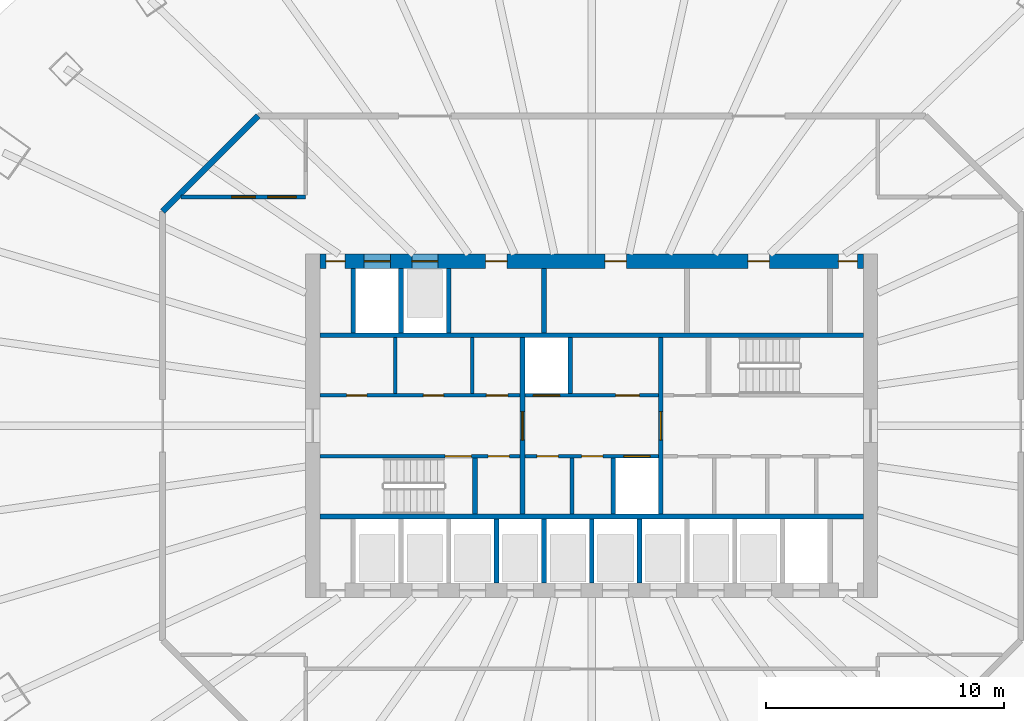
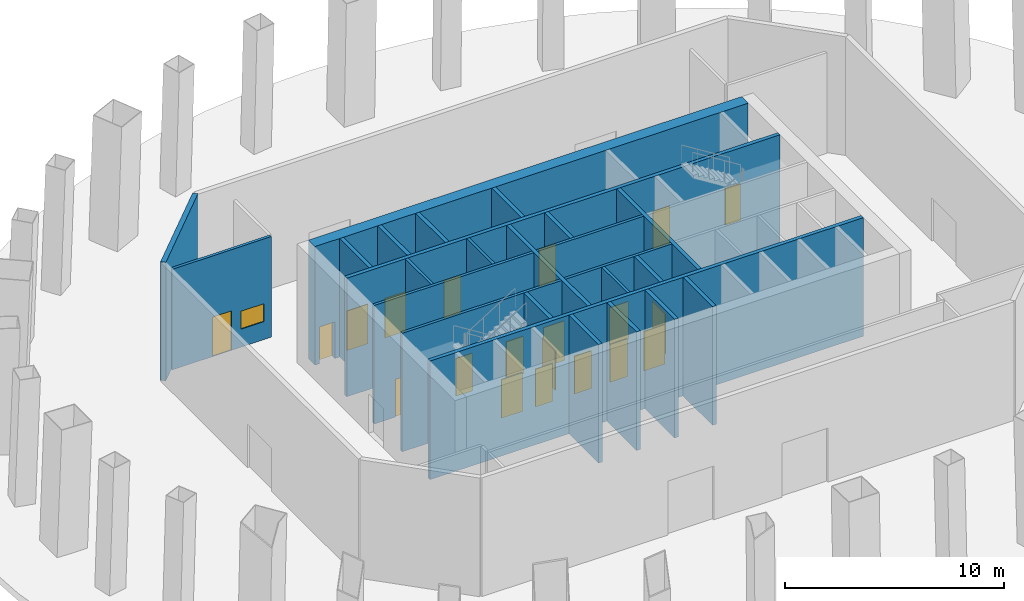
# One storey, part 7 of 10: 25 walls, 20 doors, 1 window, 21 openings.
"""IFC4 building model written with IfcOpenShell, lengths in metres."""

from ifc_helpers import new_model, si_unit, direction, frame, frame_2d, origin, place, context, subcontext, project, spatial, rectangle, extrude, material, layer, layer_set, type_object, element, fill, save


model = new_model("IFC4")

# Units and contexts
model_context = context("Model", 3, precision=1e-05, world=origin(), true_north=direction((0.0, 1.0)))
body_context = subcontext(model_context, "Body", "Model", "MODEL_VIEW")
ifc_project = project(units=[si_unit("LENGTHUNIT", "METRE"), si_unit("AREAUNIT", "SQUARE_METRE"), si_unit("VOLUMEUNIT", "CUBIC_METRE"), si_unit("PLANEANGLEUNIT", "RADIAN"), si_unit("MASSUNIT", "GRAM", prefix="KILO")], contexts=[model_context])

# Site, building, storey
site_placement = place(None, origin())
site = spatial("IfcSite", under=ifc_project, at=site_placement, CompositionType="ELEMENT")
building_placement = place(site_placement, origin())
building = spatial("IfcBuilding", under=site, at=building_placement, Name="Siaravel Broadcast Tower", CompositionType="ELEMENT")
storey_placement = place(building_placement, origin())
storey = spatial("IfcBuildingStorey", under=building, at=storey_placement, Name="L00", CompositionType="ELEMENT", Elevation=0.0)

# Walls
ifc_material_1 = material(Name="Concrete blockwork", Category="masonry")
ifc_layer_1 = layer(ifc_material_1, 0.14990234375)
ifc_layer_set_1 = layer_set([ifc_layer_1], Name="Concrete blockwork")
wall_type_1 = type_object("IfcWallType", Name="Core partition 150", PredefinedType="PARTITIONING", material=ifc_layer_set_1)
for number, where, z_axis, x_axis, name in (
    (1, (-8.2470703125, 1.35009765625, 0.0), (0.0, 0.0, 1.0), (0.0, 1.0, 0.0), "L00 core partition PNW0"),
    (2, (-5.01904296875, 1.35009765625, 0.0), (0.0, 0.0, 1.0), (0.0, 1.0, 0.0), "L00 core partition PNW1"),
    (3, (-0.827392578125, -3.699951171875, 0.0), (0.0, 0.0, 1.0), (0.0, 1.0, 0.0), "L00 core partition PSM0"),
):
    element("IfcWall", number, at=place(storey_placement, frame(where, z_axis=z_axis, x_axis=x_axis)), inside=storey, type_object=wall_type_1, Name=name, PredefinedType="PARTITIONING", context=body_context, shape_type="SweptSolid", body=[
        extrude(rectangle(XDim=2.349853515625, YDim=0.14990234375, at=frame_2d((1.1748046875, 0.0))), origin(), (0.0, 0.0, 1.0), 6.60009765625),
    ])
ifc_layer_2 = layer(ifc_material_1, 0.199951171875)
ifc_layer_set_2 = layer_set([ifc_layer_2], Name="Concrete blockwork")
wall_type_2 = type_object("IfcWallType", Name="Core partition 200", PredefinedType="PARTITIONING", material=ifc_layer_set_2)
wall_1_placement = place(storey_placement, frame((-2.0, 3.89990234375, 0.0), z_axis=(0.0, 0.0, 1.0), x_axis=(0.0, 1.0, 0.0)))
element("IfcWall", 4, at=wall_1_placement, inside=storey, type_object=wall_type_2, Name="L00 core partition PFN2", PredefinedType="PARTITIONING", context=body_context, shape_type="SweptSolid", body=[
    extrude(rectangle(XDim=2.7001953125, YDim=0.199951171875, at=frame_2d((1.35009765625, 0.0))), origin(), (0.0, 0.0, 1.0), 6.60009765625),
])

# Wall, openings, doors
ifc_material_2 = material(Name="Concrete C60/75", Category="concrete")
ifc_layer_3 = layer(ifc_material_2, 0.60009765625)
ifc_layer_set_3 = layer_set([ifc_layer_3], Name="Concrete C60/75")
wall_type_3 = type_object("IfcWallType", Name="Core wall 600", PredefinedType="SHEAR", material=ifc_layer_set_3)
wall_2_placement = place(storey_placement, frame((-11.39990234375, 6.89990234375, 0.0), z_axis=(0.0, 0.0, 1.0), x_axis=(1.0, 0.0, 0.0)))
wall_2 = element("IfcWall", 5, at=wall_2_placement, inside=storey, type_object=wall_type_3, Name="L00 core wall ON", PredefinedType="SHEAR", context=body_context, shape_type="SweptSolid", body=[
    extrude(rectangle(XDim=22.7998046875, YDim=0.60009765625, at=frame_2d((11.39990234375, 0.0))), origin(), (0.0, 0.0, 1.0), 6.60009765625),
])
opening_1_placement = place(wall_2_placement, frame((1.85009765625, 0.0, 0.0)))
opening_1 = element("IfcOpeningElement", 6, at=opening_1_placement, cuts=wall_2, Name="Opening LD-SV2-L00", PredefinedType="OPENING", context=body_context, shape_type="SweptSolid", body=[
    extrude(rectangle(XDim=1.10009765625, YDim=2.199951171875, at=frame_2d((0.550048828125, 1.10009765625))), frame((0.0, 0.31005859375, 0.0), z_axis=(0.0, -1.0, 0.0), x_axis=(1.0, 0.0, 0.0)), (0.0, 0.0, 1.0), 0.6201171875),
])
opening_2_placement = place(wall_2_placement, frame((3.85009765625, 0.0, 0.0)))
opening_2 = element("IfcOpeningElement", 7, at=opening_2_placement, cuts=wall_2, Name="Opening LD-SH2-L00", PredefinedType="OPENING", context=body_context, shape_type="SweptSolid", body=[
    extrude(rectangle(XDim=1.10009765625, YDim=2.199951171875, at=frame_2d((0.550048828125, 1.10009765625))), frame((0.0, 0.31005859375, 0.0), z_axis=(0.0, -1.0, 0.0), x_axis=(1.0, 0.0, 0.0)), (0.0, 0.0, 1.0), 0.6201171875),
])
opening_3_placement = place(wall_2_placement, frame((6.949951171875, 0.0, 0.0)))
opening_3 = element("IfcOpeningElement", 8, at=opening_3_placement, cuts=wall_2, Name="Opening L00-DFN2", PredefinedType="OPENING", context=body_context, shape_type="SweptSolid", body=[
    extrude(rectangle(XDim=0.89990234375, YDim=2.10009765625, at=frame_2d((0.449951171875, 1.050048828125))), frame((0.0, 0.31005859375, 0.0), z_axis=(0.0, -1.0, 0.0), x_axis=(1.0, 0.0, 0.0)), (0.0, 0.0, 1.0), 0.6201171875),
])
opening_4_placement = place(wall_2_placement, frame((11.949951171875, 0.0, 0.0)))
opening_4 = element("IfcOpeningElement", 9, at=opening_4_placement, cuts=wall_2, Name="Opening L00-DFN4", PredefinedType="OPENING", context=body_context, shape_type="SweptSolid", body=[
    extrude(rectangle(XDim=0.89990234375, YDim=2.10009765625, at=frame_2d((0.449951171875, 1.050048828125))), frame((0.0, 0.31005859375, 0.0), z_axis=(0.0, -1.0, 0.0), x_axis=(1.0, 0.0, 0.0)), (0.0, 0.0, 1.0), 0.6201171875),
])
opening_5_placement = place(wall_2_placement, frame((17.949951171875, 0.0, 0.0)))
opening_5 = element("IfcOpeningElement", 10, at=opening_5_placement, cuts=wall_2, Name="Opening L00-DFN7", PredefinedType="OPENING", context=body_context, shape_type="SweptSolid", body=[
    extrude(rectangle(XDim=0.89990234375, YDim=2.10009765625, at=frame_2d((0.449951171875, 1.050048828125))), frame((0.0, 0.31005859375, 0.0), z_axis=(0.0, -1.0, 0.0), x_axis=(1.0, 0.0, 0.0)), (0.0, 0.0, 1.0), 0.6201171875),
])
opening_6_placement = place(wall_2_placement, frame((0.25, 0.0, 0.0)))
opening_6 = element("IfcOpeningElement", 11, at=opening_6_placement, cuts=wall_2, Name="Opening L00-DRNW", PredefinedType="OPENING", context=body_context, shape_type="SweptSolid", body=[
    extrude(rectangle(XDim=0.800048828125, YDim=2.050048828125, at=frame_2d((0.39990234375, 1.02490234375))), frame((0.0, 0.31005859375, 0.0), z_axis=(0.0, -1.0, 0.0), x_axis=(1.0, 0.0, 0.0)), (0.0, 0.0, 1.0), 0.6201171875),
])
opening_7_placement = place(wall_2_placement, frame((21.75, 0.0, 0.0)))
opening_7 = element("IfcOpeningElement", 12, at=opening_7_placement, cuts=wall_2, Name="Opening L00-DRNE", PredefinedType="OPENING", context=body_context, shape_type="SweptSolid", body=[
    extrude(rectangle(XDim=0.800048828125, YDim=2.050048828125, at=frame_2d((0.39990234375, 1.02490234375))), frame((0.0, 0.31005859375, 0.0), z_axis=(0.0, -1.0, 0.0), x_axis=(1.0, 0.0, 0.0)), (0.0, 0.0, 1.0), 0.6201171875),
])
ifc_material_3 = material(Name="Timber veneer", Category="wood")
door_type_1 = type_object("IfcDoorType", Name="Core room door 900", OperationType="SINGLE_SWING_LEFT", PredefinedType="DOOR", material=ifc_material_3)
door_1_placement = place(opening_3_placement, origin())
door_1 = element("IfcDoor", 13, at=door_1_placement, inside=storey, type_object=door_type_1, Name="L00 door DFN2", OperationType="SINGLE_SWING_LEFT", OverallHeight=2.10009765625, OverallWidth=0.89990234375, PredefinedType="DOOR", context=body_context, shape_type="SweptSolid", body=[
    extrude(rectangle(XDim=0.89990234375, YDim=2.10009765625, at=frame_2d((0.449951171875, 1.050048828125))), frame((0.0, 0.02490234375, 0.0), z_axis=(0.0, -1.0, 0.0), x_axis=(1.0, 0.0, 0.0)), (0.0, 0.0, 1.0), 0.050048828125),
])
fill(opening_3, door_1)
door_2_placement = place(opening_4_placement, origin())
door_2 = element("IfcDoor", 14, at=door_2_placement, inside=storey, type_object=door_type_1, Name="L00 door DFN4", OperationType="SINGLE_SWING_LEFT", OverallHeight=2.10009765625, OverallWidth=0.89990234375, PredefinedType="DOOR", context=body_context, shape_type="SweptSolid", body=[
    extrude(rectangle(XDim=0.89990234375, YDim=2.10009765625, at=frame_2d((0.449951171875, 1.050048828125))), frame((0.0, 0.02490234375, 0.0), z_axis=(0.0, -1.0, 0.0), x_axis=(1.0, 0.0, 0.0)), (0.0, 0.0, 1.0), 0.050048828125),
])
fill(opening_4, door_2)
door_3_placement = place(opening_5_placement, origin())
door_3 = element("IfcDoor", 15, at=door_3_placement, inside=storey, type_object=door_type_1, Name="L00 door DFN7", OperationType="SINGLE_SWING_LEFT", OverallHeight=2.10009765625, OverallWidth=0.89990234375, PredefinedType="DOOR", context=body_context, shape_type="SweptSolid", body=[
    extrude(rectangle(XDim=0.89990234375, YDim=2.10009765625, at=frame_2d((0.449951171875, 1.050048828125))), frame((0.0, 0.02490234375, 0.0), z_axis=(0.0, -1.0, 0.0), x_axis=(1.0, 0.0, 0.0)), (0.0, 0.0, 1.0), 0.050048828125),
])
fill(opening_5, door_3)
ifc_material_4 = material(Name="Stainless steel 316L", Category="steel")
door_type_2 = type_object("IfcDoorType", Name="Lift landing door 1100", OperationType="DOUBLE_DOOR_SLIDING", PredefinedType="DOOR", material=ifc_material_4)
door_4_placement = place(opening_2_placement, origin())
door_4 = element("IfcDoor", 16, at=door_4_placement, inside=storey, type_object=door_type_2, Name="Landing door SH2 L00", OperationType="DOUBLE_DOOR_SLIDING", OverallHeight=2.199951171875, OverallWidth=1.10009765625, PredefinedType="DOOR", context=body_context, shape_type="SweptSolid", body=[
    extrude(rectangle(XDim=1.10009765625, YDim=2.199951171875, at=frame_2d((0.550048828125, 1.10009765625))), frame((0.0, 0.02490234375, 0.0), z_axis=(0.0, -1.0, 0.0), x_axis=(1.0, 0.0, 0.0)), (0.0, 0.0, 1.0), 0.050048828125),
])
fill(opening_2, door_4)
ifc_material_5 = material(Name="Steel", Category="steel")
door_type_3 = type_object("IfcDoorType", Name="Riser door 800", OperationType="SINGLE_SWING_LEFT", PredefinedType="DOOR", material=ifc_material_5)
door_5_placement = place(opening_6_placement, origin())
door_5 = element("IfcDoor", 17, at=door_5_placement, inside=storey, type_object=door_type_3, Name="L00 door DRNW", OperationType="SINGLE_SWING_LEFT", OverallHeight=2.050048828125, OverallWidth=0.800048828125, PredefinedType="DOOR", context=body_context, shape_type="SweptSolid", body=[
    extrude(rectangle(XDim=0.800048828125, YDim=2.050048828125, at=frame_2d((0.39990234375, 1.02490234375))), frame((0.0, 0.02490234375, 0.0), z_axis=(0.0, -1.0, 0.0), x_axis=(1.0, 0.0, 0.0)), (0.0, 0.0, 1.0), 0.050048828125),
])
fill(opening_6, door_5)
door_6_placement = place(opening_7_placement, origin())
door_6 = element("IfcDoor", 18, at=door_6_placement, inside=storey, type_object=door_type_3, Name="L00 door DRNE", OperationType="SINGLE_SWING_LEFT", OverallHeight=2.050048828125, OverallWidth=0.800048828125, PredefinedType="DOOR", context=body_context, shape_type="SweptSolid", body=[
    extrude(rectangle(XDim=0.800048828125, YDim=2.050048828125, at=frame_2d((0.39990234375, 1.02490234375))), frame((0.0, 0.02490234375, 0.0), z_axis=(0.0, -1.0, 0.0), x_axis=(1.0, 0.0, 0.0)), (0.0, 0.0, 1.0), 0.050048828125),
])
fill(opening_7, door_6)
door_type_4 = type_object("IfcDoorType", Name="Service lift landing door 1100", OperationType="DOUBLE_DOOR_SLIDING", PredefinedType="DOOR", material=ifc_material_4)
door_7_placement = place(opening_1_placement, origin())
door_7 = element("IfcDoor", 19, at=door_7_placement, inside=storey, type_object=door_type_4, Name="Landing door SV2 L00", OperationType="DOUBLE_DOOR_SLIDING", OverallHeight=2.199951171875, OverallWidth=1.10009765625, PredefinedType="DOOR", context=body_context, shape_type="SweptSolid", body=[
    extrude(rectangle(XDim=1.10009765625, YDim=2.199951171875, at=frame_2d((0.550048828125, 1.10009765625))), frame((0.0, 0.02490234375, 0.0), z_axis=(0.0, -1.0, 0.0), x_axis=(1.0, 0.0, 0.0)), (0.0, 0.0, 1.0), 0.050048828125),
])
fill(opening_1, door_7)

ifc_material_6 = material(Name="Gypsum board partition", Category="gypsum")
ifc_layer_4 = layer(ifc_material_6, 0.14990234375)
ifc_layer_set_4 = layer_set([ifc_layer_4], Name="Gypsum board partition")
wall_type_4 = type_object("IfcWallType", Name="Corridor wall 150", PredefinedType="PARTITIONING", material=ifc_layer_set_4)
wall_3_placement = place(storey_placement, frame((-11.39990234375, 1.27490234375, 0.0), z_axis=(0.0, 0.0, 1.0), x_axis=(1.0, 0.0, 0.0)))
wall_3 = element("IfcWall", 20, at=wall_3_placement, inside=storey, type_object=wall_type_4, Name="L00 core partition CNW", PredefinedType="PARTITIONING", context=body_context, shape_type="SweptSolid", body=[
    extrude(rectangle(XDim=8.39990234375, YDim=0.14990234375, at=frame_2d((4.199951171875, 0.0))), origin(), (0.0, 0.0, 1.0), 6.60009765625),
])
opening_8_placement = place(wall_3_placement, frame((1.114013671875, 0.0, 0.0)))
opening_8 = element("IfcOpeningElement", 21, at=opening_8_placement, cuts=wall_3, Name="Opening L00-DNW0", PredefinedType="OPENING", context=body_context, shape_type="SweptSolid", body=[
    extrude(rectangle(XDim=0.85009765625, YDim=2.10009765625, at=frame_2d((0.425048828125, 1.050048828125))), frame((0.0, 0.0849609375, 0.0), z_axis=(0.0, -1.0, 0.0), x_axis=(1.0, 0.0, 0.0)), (0.0, 0.0, 1.0), 0.169921875),
])
opening_9_placement = place(wall_3_placement, frame((4.342041015625, 0.0, 0.0)))
opening_9 = element("IfcOpeningElement", 22, at=opening_9_placement, cuts=wall_3, Name="Opening L00-DNW1", PredefinedType="OPENING", context=body_context, shape_type="SweptSolid", body=[
    extrude(rectangle(XDim=0.85009765625, YDim=2.10009765625, at=frame_2d((0.425048828125, 1.050048828125))), frame((0.0, 0.0849609375, 0.0), z_axis=(0.0, -1.0, 0.0), x_axis=(1.0, 0.0, 0.0)), (0.0, 0.0, 1.0), 0.169921875),
])
opening_10_placement = place(wall_3_placement, frame((6.97802734375, 0.0, 0.0)))
opening_10 = element("IfcOpeningElement", 23, at=opening_10_placement, cuts=wall_3, Name="Opening L00-DNW2", PredefinedType="OPENING", context=body_context, shape_type="SweptSolid", body=[
    extrude(rectangle(XDim=0.89990234375, YDim=2.10009765625, at=frame_2d((0.449951171875, 1.050048828125))), frame((0.0, 0.0849609375, 0.0), z_axis=(0.0, -1.0, 0.0), x_axis=(1.0, 0.0, 0.0)), (0.0, 0.0, 1.0), 0.169921875),
])
door_8_placement = place(opening_10_placement, origin())
door_8 = element("IfcDoor", 24, at=door_8_placement, inside=storey, type_object=door_type_1, Name="L00 door DNW2", OperationType="SINGLE_SWING_LEFT", OverallHeight=2.10009765625, OverallWidth=0.89990234375, PredefinedType="DOOR", context=body_context, shape_type="SweptSolid", body=[
    extrude(rectangle(XDim=0.89990234375, YDim=2.10009765625, at=frame_2d((0.449951171875, 1.050048828125))), frame((0.0, 0.02490234375, 0.0), z_axis=(0.0, -1.0, 0.0), x_axis=(1.0, 0.0, 0.0)), (0.0, 0.0, 1.0), 0.050048828125),
])
fill(opening_10, door_8)
door_type_5 = type_object("IfcDoorType", Name="Core toilet door 850", OperationType="SINGLE_SWING_LEFT", PredefinedType="DOOR", material=ifc_material_3)
door_9_placement = place(opening_8_placement, origin())
door_9 = element("IfcDoor", 25, at=door_9_placement, inside=storey, type_object=door_type_5, Name="L00 door DNW0", OperationType="SINGLE_SWING_LEFT", OverallHeight=2.10009765625, OverallWidth=0.85009765625, PredefinedType="DOOR", context=body_context, shape_type="SweptSolid", body=[
    extrude(rectangle(XDim=0.85009765625, YDim=2.10009765625, at=frame_2d((0.425048828125, 1.050048828125))), frame((0.0, 0.02490234375, 0.0), z_axis=(0.0, -1.0, 0.0), x_axis=(1.0, 0.0, 0.0)), (0.0, 0.0, 1.0), 0.050048828125),
])
fill(opening_8, door_9)
door_10_placement = place(opening_9_placement, origin())
door_10 = element("IfcDoor", 26, at=door_10_placement, inside=storey, type_object=door_type_5, Name="L00 door DNW1", OperationType="SINGLE_SWING_LEFT", OverallHeight=2.10009765625, OverallWidth=0.85009765625, PredefinedType="DOOR", context=body_context, shape_type="SweptSolid", body=[
    extrude(rectangle(XDim=0.85009765625, YDim=2.10009765625, at=frame_2d((0.425048828125, 1.050048828125))), frame((0.0, 0.02490234375, 0.0), z_axis=(0.0, -1.0, 0.0), x_axis=(1.0, 0.0, 0.0)), (0.0, 0.0, 1.0), 0.050048828125),
])
fill(opening_9, door_10)

# Wall, openings, door, window
wall_4_placement = place(storey_placement, frame((-12.0, 9.60009765625, 0.0), z_axis=(0.0, 0.0, 1.0), x_axis=(-1.0, 0.0, 0.0)))
wall_4 = element("IfcWall", 27, at=wall_4_placement, inside=storey, type_object=wall_type_4, Name="L00 partition 3", PredefinedType="PARTITIONING", context=body_context, shape_type="SweptSolid", body=[
    extrude(rectangle(XDim=5.22314453125, YDim=0.14990234375, at=frame_2d((2.611572265625, 0.0))), origin(), (0.0, 0.0, 1.0), 5.60009765625),
])
opening_11_placement = place(wall_4_placement, frame((2.111572265625, 0.0, 0.0)))
opening_11 = element("IfcOpeningElement", 28, at=opening_11_placement, cuts=wall_4, Name="Opening L00-001", PredefinedType="OPENING", context=body_context, shape_type="SweptSolid", body=[
    extrude(rectangle(XDim=1.0, YDim=2.199951171875, at=frame_2d((0.5, 1.10009765625))), frame((0.0, 0.0849609375, 0.0), z_axis=(0.0, -1.0, 0.0), x_axis=(1.0, 0.0, 0.0)), (0.0, 0.0, 1.0), 0.169921875),
])
opening_12_placement = place(wall_4_placement, frame((0.39990234375, 0.0, 1.0)))
opening_12 = element("IfcOpeningElement", 29, at=opening_12_placement, cuts=wall_4, Name="Opening L00-W01", PredefinedType="OPENING", context=body_context, shape_type="SweptSolid", body=[
    extrude(rectangle(XDim=1.199951171875, YDim=1.0, at=frame_2d((0.60009765625, 0.5))), frame((0.0, 0.0849609375, 0.0), z_axis=(0.0, -1.0, 0.0), x_axis=(1.0, 0.0, 0.0)), (0.0, 0.0, 1.0), 0.169921875),
])
ifc_material_7 = material(Name="Acoustic timber and steel", Category="steel")
door_type_6 = type_object("IfcDoorType", Name="Acoustic door 1000", OperationType="SINGLE_SWING_LEFT", PredefinedType="DOOR", material=ifc_material_7)
door_11_placement = place(opening_11_placement, origin())
door_11 = element("IfcDoor", 30, at=door_11_placement, inside=storey, type_object=door_type_6, Name="L00 door to Security control room", OperationType="SINGLE_SWING_LEFT", OverallHeight=2.199951171875, OverallWidth=1.0, PredefinedType="DOOR", context=body_context, shape_type="SweptSolid", body=[
    extrude(rectangle(XDim=1.0, YDim=2.199951171875, at=frame_2d((0.5, 1.10009765625))), frame((0.0, 0.02490234375, 0.0), z_axis=(0.0, -1.0, 0.0), x_axis=(1.0, 0.0, 0.0)), (0.0, 0.0, 1.0), 0.050048828125),
])
fill(opening_11, door_11)
ifc_material_8 = material(Name="Laminated security glass", Category="glass")
window_type = type_object("IfcWindowType", Name="Security hatch window 1200", PartitioningType="SINGLE_PANEL", PredefinedType="WINDOW", material=ifc_material_8)
window_placement = place(opening_12_placement, origin())
window = element("IfcWindow", 31, at=window_placement, inside=storey, type_object=window_type, Name="L00 security hatch 1", OverallHeight=1.0, OverallWidth=1.199951171875, PartitioningType="SINGLE_PANEL", PredefinedType="WINDOW", context=body_context, shape_type="SweptSolid", body=[
    extrude(rectangle(XDim=1.199951171875, YDim=1.0, at=frame_2d((0.60009765625, 0.5))), frame((0.0, 0.030029296875, 0.0), z_axis=(0.0, -1.0, 0.0), x_axis=(1.0, 0.0, 0.0)), (0.0, 0.0, 1.0), 0.06005859375),
])
fill(opening_12, window)

# Wall
ifc_material_9 = material(Name="Concrete C40/50", Category="concrete")
ifc_layer_5 = layer(ifc_material_9, 0.25)
ifc_layer_set_5 = layer_set([ifc_layer_5], Name="Concrete C40/50")
wall_type_5 = type_object("IfcWallType", Name="Pavilion glazed wall", PredefinedType="STANDARD", material=ifc_layer_set_5)
wall_5_placement = place(storey_placement, frame((-18.0, 9.0, 0.0), z_axis=(0.0, 0.0, 1.0), x_axis=(0.707106781, 0.707106781, 0.0)))
element("IfcWall", 32, at=wall_5_placement, inside=storey, type_object=wall_type_5, Name="Lobby pavilion wall 04", PredefinedType="STANDARD", context=body_context, shape_type="SweptSolid", body=[
    extrude(rectangle(XDim=5.65673828125, YDim=0.25, at=frame_2d((2.828369140625, 0.0))), origin(), (0.0, 0.0, 1.0), 6.60009765625),
])

# Wall, openings, doors
ifc_layer_6 = layer(ifc_material_2, 0.14990234375)
ifc_layer_set_6 = layer_set([ifc_layer_6], Name="Concrete C60/75")
wall_type_6 = type_object("IfcWallType", Name="Shaft wall 150", PredefinedType="SHEAR", material=ifc_layer_set_6)
wall_6_placement = place(storey_placement, frame((-11.39990234375, -1.27490234375, 0.0), z_axis=(0.0, 0.0, 1.0), x_axis=(1.0, 0.0, 0.0)))
wall_6 = element("IfcWall", 33, at=wall_6_placement, inside=storey, type_object=wall_type_6, Name="L00 core wall CSW", PredefinedType="SHEAR", context=body_context, shape_type="SweptSolid", body=[
    extrude(rectangle(XDim=8.39990234375, YDim=0.14990234375, at=frame_2d((4.199951171875, 0.0))), origin(), (0.0, 0.0, 1.0), 6.60009765625),
])
opening_13_placement = place(wall_6_placement, frame((5.25, 0.0, 0.0)))
opening_13 = element("IfcOpeningElement", 34, at=opening_13_placement, cuts=wall_6, Name="Opening L00-DS-1", PredefinedType="OPENING", context=body_context, shape_type="SweptSolid", body=[
    extrude(rectangle(XDim=1.10009765625, YDim=2.14990234375, at=frame_2d((0.550048828125, 1.074951171875))), frame((0.0, 0.0849609375, 0.0), z_axis=(0.0, -1.0, 0.0), x_axis=(1.0, 0.0, 0.0)), (0.0, 0.0, 1.0), 0.169921875),
])
opening_14_placement = place(wall_6_placement, frame((7.050048828125, 0.0, 0.0)))
opening_14 = element("IfcOpeningElement", 35, at=opening_14_placement, cuts=wall_6, Name="Opening L00-DSW0", PredefinedType="OPENING", context=body_context, shape_type="SweptSolid", body=[
    extrude(rectangle(XDim=0.89990234375, YDim=2.10009765625, at=frame_2d((0.449951171875, 1.050048828125))), frame((0.0, 0.0849609375, 0.0), z_axis=(0.0, -1.0, 0.0), x_axis=(1.0, 0.0, 0.0)), (0.0, 0.0, 1.0), 0.169921875),
])
door_12_placement = place(opening_14_placement, origin())
door_12 = element("IfcDoor", 36, at=door_12_placement, inside=storey, type_object=door_type_1, Name="L00 door DSW0", OperationType="SINGLE_SWING_LEFT", OverallHeight=2.10009765625, OverallWidth=0.89990234375, PredefinedType="DOOR", context=body_context, shape_type="SweptSolid", body=[
    extrude(rectangle(XDim=0.89990234375, YDim=2.10009765625, at=frame_2d((0.449951171875, 1.050048828125))), frame((0.0, 0.02490234375, 0.0), z_axis=(0.0, -1.0, 0.0), x_axis=(1.0, 0.0, 0.0)), (0.0, 0.0, 1.0), 0.050048828125),
])
fill(opening_14, door_12)
door_type_7 = type_object("IfcDoorType", Name="Stair door 1100", OperationType="SINGLE_SWING_LEFT", PredefinedType="DOOR", material=ifc_material_5)
door_13_placement = place(opening_13_placement, origin())
door_13 = element("IfcDoor", 37, at=door_13_placement, inside=storey, type_object=door_type_7, Name="L00 door DS-1", OperationType="SINGLE_SWING_LEFT", OverallHeight=2.14990234375, OverallWidth=1.10009765625, PredefinedType="DOOR", context=body_context, shape_type="SweptSolid", body=[
    extrude(rectangle(XDim=1.10009765625, YDim=2.14990234375, at=frame_2d((0.550048828125, 1.074951171875))), frame((0.0, 0.02490234375, 0.0), z_axis=(0.0, -1.0, 0.0), x_axis=(1.0, 0.0, 0.0)), (0.0, 0.0, 1.0), 0.050048828125),
])
fill(opening_13, door_13)

wall_7_placement = place(storey_placement, frame((-2.800048828125, -1.27490234375, 0.0), z_axis=(0.0, 0.0, 1.0), x_axis=(1.0, 0.0, 0.0)))
wall_7 = element("IfcWall", 38, at=wall_7_placement, inside=storey, type_object=wall_type_6, Name="L00 core wall CSM", PredefinedType="SHEAR", context=body_context, shape_type="SweptSolid", body=[
    extrude(rectangle(XDim=5.60009765625, YDim=0.14990234375, at=frame_2d((2.800048828125, 0.0))), origin(), (0.0, 0.0, 1.0), 6.60009765625),
])
opening_15_placement = place(wall_7_placement, frame((4.14990234375, 0.0, 0.0)))
opening_15 = element("IfcOpeningElement", 39, at=opening_15_placement, cuts=wall_7, Name="Opening LD-FL2-L00", PredefinedType="OPENING", context=body_context, shape_type="SweptSolid", body=[
    extrude(rectangle(XDim=1.10009765625, YDim=2.199951171875, at=frame_2d((0.550048828125, 1.10009765625))), frame((0.0, 0.0849609375, 0.0), z_axis=(0.0, -1.0, 0.0), x_axis=(1.0, 0.0, 0.0)), (0.0, 0.0, 1.0), 0.169921875),
])
opening_16_placement = place(wall_7_placement, frame((0.498779296875, 0.0, 0.0)))
opening_16 = element("IfcOpeningElement", 40, at=opening_16_placement, cuts=wall_7, Name="Opening L00-DSM0", PredefinedType="OPENING", context=body_context, shape_type="SweptSolid", body=[
    extrude(rectangle(XDim=0.89990234375, YDim=2.10009765625, at=frame_2d((0.449951171875, 1.050048828125))), frame((0.0, 0.0849609375, 0.0), z_axis=(0.0, -1.0, 0.0), x_axis=(1.0, 0.0, 0.0)), (0.0, 0.0, 1.0), 0.169921875),
])
opening_17_placement = place(wall_7_placement, frame((2.373779296875, 0.0, 0.0)))
opening_17 = element("IfcOpeningElement", 41, at=opening_17_placement, cuts=wall_7, Name="Opening L00-DSM1", PredefinedType="OPENING", context=body_context, shape_type="SweptSolid", body=[
    extrude(rectangle(XDim=0.89990234375, YDim=2.10009765625, at=frame_2d((0.449951171875, 1.050048828125))), frame((0.0, 0.0849609375, 0.0), z_axis=(0.0, -1.0, 0.0), x_axis=(1.0, 0.0, 0.0)), (0.0, 0.0, 1.0), 0.169921875),
])
door_14_placement = place(opening_16_placement, origin())
door_14 = element("IfcDoor", 42, at=door_14_placement, inside=storey, type_object=door_type_1, Name="L00 door DSM0", OperationType="SINGLE_SWING_LEFT", OverallHeight=2.10009765625, OverallWidth=0.89990234375, PredefinedType="DOOR", context=body_context, shape_type="SweptSolid", body=[
    extrude(rectangle(XDim=0.89990234375, YDim=2.10009765625, at=frame_2d((0.449951171875, 1.050048828125))), frame((0.0, 0.02490234375, 0.0), z_axis=(0.0, -1.0, 0.0), x_axis=(1.0, 0.0, 0.0)), (0.0, 0.0, 1.0), 0.050048828125),
])
fill(opening_16, door_14)
door_15_placement = place(opening_17_placement, origin())
door_15 = element("IfcDoor", 43, at=door_15_placement, inside=storey, type_object=door_type_1, Name="L00 door DSM1", OperationType="SINGLE_SWING_LEFT", OverallHeight=2.10009765625, OverallWidth=0.89990234375, PredefinedType="DOOR", context=body_context, shape_type="SweptSolid", body=[
    extrude(rectangle(XDim=0.89990234375, YDim=2.10009765625, at=frame_2d((0.449951171875, 1.050048828125))), frame((0.0, 0.02490234375, 0.0), z_axis=(0.0, -1.0, 0.0), x_axis=(1.0, 0.0, 0.0)), (0.0, 0.0, 1.0), 0.050048828125),
])
fill(opening_17, door_15)
door_type_8 = type_object("IfcDoorType", Name="Firefighting lift landing door 1100", OperationType="DOUBLE_DOOR_SLIDING", PredefinedType="DOOR", material=ifc_material_4)
door_16_placement = place(opening_15_placement, origin())
door_16 = element("IfcDoor", 44, at=door_16_placement, inside=storey, type_object=door_type_8, Name="Landing door FL2 L00", OperationType="DOUBLE_DOOR_SLIDING", OverallHeight=2.199951171875, OverallWidth=1.10009765625, PredefinedType="DOOR", context=body_context, shape_type="SweptSolid", body=[
    extrude(rectangle(XDim=1.10009765625, YDim=2.199951171875, at=frame_2d((0.550048828125, 1.10009765625))), frame((0.0, 0.02490234375, 0.0), z_axis=(0.0, -1.0, 0.0), x_axis=(1.0, 0.0, 0.0)), (0.0, 0.0, 1.0), 0.050048828125),
])
fill(opening_15, door_16)

wall_8_placement = place(storey_placement, frame((-2.800048828125, 1.27490234375, 0.0), z_axis=(0.0, 0.0, 1.0), x_axis=(1.0, 0.0, 0.0)))
wall_8 = element("IfcWall", 45, at=wall_8_placement, inside=storey, type_object=wall_type_6, Name="L00 core wall CNM", PredefinedType="SHEAR", context=body_context, shape_type="SweptSolid", body=[
    extrude(rectangle(XDim=5.60009765625, YDim=0.14990234375, at=frame_2d((2.800048828125, 0.0))), origin(), (0.0, 0.0, 1.0), 6.60009765625),
])
opening_18_placement = place(wall_8_placement, frame((0.35009765625, 0.0, 0.0)))
opening_18 = element("IfcOpeningElement", 46, at=opening_18_placement, cuts=wall_8, Name="Opening LD-FL1-L00", PredefinedType="OPENING", context=body_context, shape_type="SweptSolid", body=[
    extrude(rectangle(XDim=1.10009765625, YDim=2.199951171875, at=frame_2d((0.550048828125, 1.10009765625))), frame((0.0, 0.0849609375, 0.0), z_axis=(0.0, -1.0, 0.0), x_axis=(1.0, 0.0, 0.0)), (0.0, 0.0, 1.0), 0.169921875),
])
opening_19_placement = place(wall_8_placement, frame((3.800048828125, 0.0, 0.0)))
opening_19 = element("IfcOpeningElement", 47, at=opening_19_placement, cuts=wall_8, Name="Opening L00-DNM0", PredefinedType="OPENING", context=body_context, shape_type="SweptSolid", body=[
    extrude(rectangle(XDim=1.0, YDim=2.10009765625, at=frame_2d((0.5, 1.050048828125))), frame((0.0, 0.0849609375, 0.0), z_axis=(0.0, -1.0, 0.0), x_axis=(1.0, 0.0, 0.0)), (0.0, 0.0, 1.0), 0.169921875),
])
door_type_9 = type_object("IfcDoorType", Name="Core room door 1000", OperationType="SINGLE_SWING_LEFT", PredefinedType="DOOR", material=ifc_material_3)
door_17_placement = place(opening_19_placement, origin())
door_17 = element("IfcDoor", 48, at=door_17_placement, inside=storey, type_object=door_type_9, Name="L00 door DNM0", OperationType="SINGLE_SWING_LEFT", OverallHeight=2.10009765625, OverallWidth=1.0, PredefinedType="DOOR", context=body_context, shape_type="SweptSolid", body=[
    extrude(rectangle(XDim=1.0, YDim=2.10009765625, at=frame_2d((0.5, 1.050048828125))), frame((0.0, 0.02490234375, 0.0), z_axis=(0.0, -1.0, 0.0), x_axis=(1.0, 0.0, 0.0)), (0.0, 0.0, 1.0), 0.050048828125),
])
fill(opening_19, door_17)
door_18_placement = place(opening_18_placement, origin())
door_18 = element("IfcDoor", 49, at=door_18_placement, inside=storey, type_object=door_type_8, Name="Landing door FL1 L00", OperationType="DOUBLE_DOOR_SLIDING", OverallHeight=2.199951171875, OverallWidth=1.10009765625, PredefinedType="DOOR", context=body_context, shape_type="SweptSolid", body=[
    extrude(rectangle(XDim=1.10009765625, YDim=2.199951171875, at=frame_2d((0.550048828125, 1.10009765625))), frame((0.0, 0.02490234375, 0.0), z_axis=(0.0, -1.0, 0.0), x_axis=(1.0, 0.0, 0.0)), (0.0, 0.0, 1.0), 0.050048828125),
])
fill(opening_18, door_18)

# Walls
ifc_layer_7 = layer(ifc_material_2, 0.199951171875)
ifc_layer_set_7 = layer_set([ifc_layer_7], Name="Concrete C60/75")
wall_type_7 = type_object("IfcWallType", Name="Shaft wall 200", PredefinedType="SHEAR", material=ifc_layer_set_7)
for number, where, z_axis, x_axis, name in (
    (50, (-11.39990234375, -3.800048828125, 0.0), (0.0, 0.0, 1.0), (1.0, 0.0, 0.0), "L00 core wall BS"),
    (51, (-11.39990234375, 3.800048828125, 0.0), (0.0, 0.0, 1.0), (1.0, 0.0, 0.0), "L00 core wall BN"),
):
    element("IfcWall", number, at=place(storey_placement, frame(where, z_axis=z_axis, x_axis=x_axis)), inside=storey, type_object=wall_type_7, Name=name, PredefinedType="SHEAR", context=body_context, shape_type="SweptSolid", body=[
        extrude(rectangle(XDim=22.7998046875, YDim=0.199951171875, at=frame_2d((11.39990234375, 0.0))), origin(), (0.0, 0.0, 1.0), 6.60009765625),
    ])
for number, where, z_axis, x_axis, name in (
    (52, (-4.0, -6.60009765625, 0.0), (0.0, 0.0, 1.0), (0.0, 1.0, 0.0), "L00 core wall SWS3"),
    (53, (-2.0, -6.60009765625, 0.0), (0.0, 0.0, 1.0), (0.0, 1.0, 0.0), "L00 core wall SWS4"),
    (54, (0.0, -6.60009765625, 0.0), (0.0, 0.0, 1.0), (0.0, 1.0, 0.0), "L00 core wall SWS5"),
    (55, (2.0, -6.60009765625, 0.0), (0.0, 0.0, 1.0), (0.0, 1.0, 0.0), "L00 core wall SWS6"),
    (56, (-10.0, 3.89990234375, 0.0), (0.0, 0.0, 1.0), (0.0, 1.0, 0.0), "L00 core wall SWN0"),
    (57, (-8.0, 3.89990234375, 0.0), (0.0, 0.0, 1.0), (0.0, 1.0, 0.0), "L00 core wall SWN1"),
    (58, (-6.0, 3.89990234375, 0.0), (0.0, 0.0, 1.0), (0.0, 1.0, 0.0), "L00 core wall SWN2"),
):
    element("IfcWall", number, at=place(storey_placement, frame(where, z_axis=z_axis, x_axis=x_axis)), inside=storey, type_object=wall_type_7, Name=name, PredefinedType="SHEAR", context=body_context, shape_type="SweptSolid", body=[
        extrude(rectangle(XDim=2.7001953125, YDim=0.199951171875, at=frame_2d((1.35009765625, 0.0))), origin(), (0.0, 0.0, 1.0), 6.60009765625),
    ])

# Wall, opening, door
wall_9_placement = place(storey_placement, frame((-2.89990234375, -3.699951171875, 0.0), z_axis=(0.0, 0.0, 1.0), x_axis=(0.0, 1.0, 0.0)))
wall_9 = element("IfcWall", 59, at=wall_9_placement, inside=storey, type_object=wall_type_7, Name="L00 core wall LW", PredefinedType="SHEAR", context=body_context, shape_type="SweptSolid", body=[
    extrude(rectangle(XDim=7.39990234375, YDim=0.199951171875, at=frame_2d((3.699951171875, 0.0))), origin(), (0.0, 0.0, 1.0), 6.60009765625),
])
opening_20_placement = place(wall_9_placement, frame((3.10009765625, 0.0, 0.0)))
opening_20 = element("IfcOpeningElement", 60, at=opening_20_placement, cuts=wall_9, Name="Opening L00-DL-W", PredefinedType="OPENING", context=body_context, shape_type="SweptSolid", body=[
    extrude(rectangle(XDim=1.199951171875, YDim=2.199951171875, at=frame_2d((0.60009765625, 1.10009765625))), frame((0.0, 0.10986328125, 0.0), z_axis=(0.0, -1.0, 0.0), x_axis=(1.0, 0.0, 0.0)), (0.0, 0.0, 1.0), 0.219970703125),
])
door_type_10 = type_object("IfcDoorType", Name="Firefighting lobby door 1200", OperationType="SINGLE_SWING_LEFT", PredefinedType="DOOR", material=ifc_material_5)
door_19_placement = place(opening_20_placement, origin())
door_19 = element("IfcDoor", 61, at=door_19_placement, inside=storey, type_object=door_type_10, Name="L00 door DL-W", OperationType="SINGLE_SWING_LEFT", OverallHeight=2.199951171875, OverallWidth=1.199951171875, PredefinedType="DOOR", context=body_context, shape_type="SweptSolid", body=[
    extrude(rectangle(XDim=1.199951171875, YDim=2.199951171875, at=frame_2d((0.60009765625, 1.10009765625))), frame((0.0, 0.02490234375, 0.0), z_axis=(0.0, -1.0, 0.0), x_axis=(1.0, 0.0, 0.0)), (0.0, 0.0, 1.0), 0.050048828125),
])
fill(opening_20, door_19)

wall_10_placement = place(storey_placement, frame((2.89990234375, -3.699951171875, 0.0), z_axis=(0.0, 0.0, 1.0), x_axis=(0.0, 1.0, 0.0)))
wall_10 = element("IfcWall", 62, at=wall_10_placement, inside=storey, type_object=wall_type_7, Name="L00 core wall LE", PredefinedType="SHEAR", context=body_context, shape_type="SweptSolid", body=[
    extrude(rectangle(XDim=7.39990234375, YDim=0.199951171875, at=frame_2d((3.699951171875, 0.0))), origin(), (0.0, 0.0, 1.0), 6.60009765625),
])
opening_21_placement = place(wall_10_placement, frame((3.10009765625, 0.0, 0.0)))
opening_21 = element("IfcOpeningElement", 63, at=opening_21_placement, cuts=wall_10, Name="Opening L00-DL-E", PredefinedType="OPENING", context=body_context, shape_type="SweptSolid", body=[
    extrude(rectangle(XDim=1.199951171875, YDim=2.199951171875, at=frame_2d((0.60009765625, 1.10009765625))), frame((0.0, 0.10986328125, 0.0), z_axis=(0.0, -1.0, 0.0), x_axis=(1.0, 0.0, 0.0)), (0.0, 0.0, 1.0), 0.219970703125),
])
door_20_placement = place(opening_21_placement, origin())
door_20 = element("IfcDoor", 64, at=door_20_placement, inside=storey, type_object=door_type_10, Name="L00 door DL-E", OperationType="SINGLE_SWING_LEFT", OverallHeight=2.199951171875, OverallWidth=1.199951171875, PredefinedType="DOOR", context=body_context, shape_type="SweptSolid", body=[
    extrude(rectangle(XDim=1.199951171875, YDim=2.199951171875, at=frame_2d((0.60009765625, 1.10009765625))), frame((0.0, 0.02490234375, 0.0), z_axis=(0.0, -1.0, 0.0), x_axis=(1.0, 0.0, 0.0)), (0.0, 0.0, 1.0), 0.050048828125),
])
fill(opening_21, door_20)

# Walls
for number, where, z_axis, x_axis, name in (
    (65, (-0.89990234375, 1.35009765625, 0.0), (0.0, 0.0, 1.0), (0.0, 1.0, 0.0), "L00 core wall FF1E"),
    (66, (0.89990234375, -3.699951171875, 0.0), (0.0, 0.0, 1.0), (0.0, 1.0, 0.0), "L00 core wall FF2W"),
    (67, (-4.89990234375, -3.699951171875, 0.0), (0.0, 0.0, 1.0), (0.0, 1.0, 0.0), "L00 core wall ST1E"),
):
    element("IfcWall", number, at=place(storey_placement, frame(where, z_axis=z_axis, x_axis=x_axis)), inside=storey, type_object=wall_type_7, Name=name, PredefinedType="SHEAR", context=body_context, shape_type="SweptSolid", body=[
        extrude(rectangle(XDim=2.349853515625, YDim=0.199951171875, at=frame_2d((1.1748046875, 0.0))), origin(), (0.0, 0.0, 1.0), 6.60009765625),
    ])

save(model, "model.ifc")
